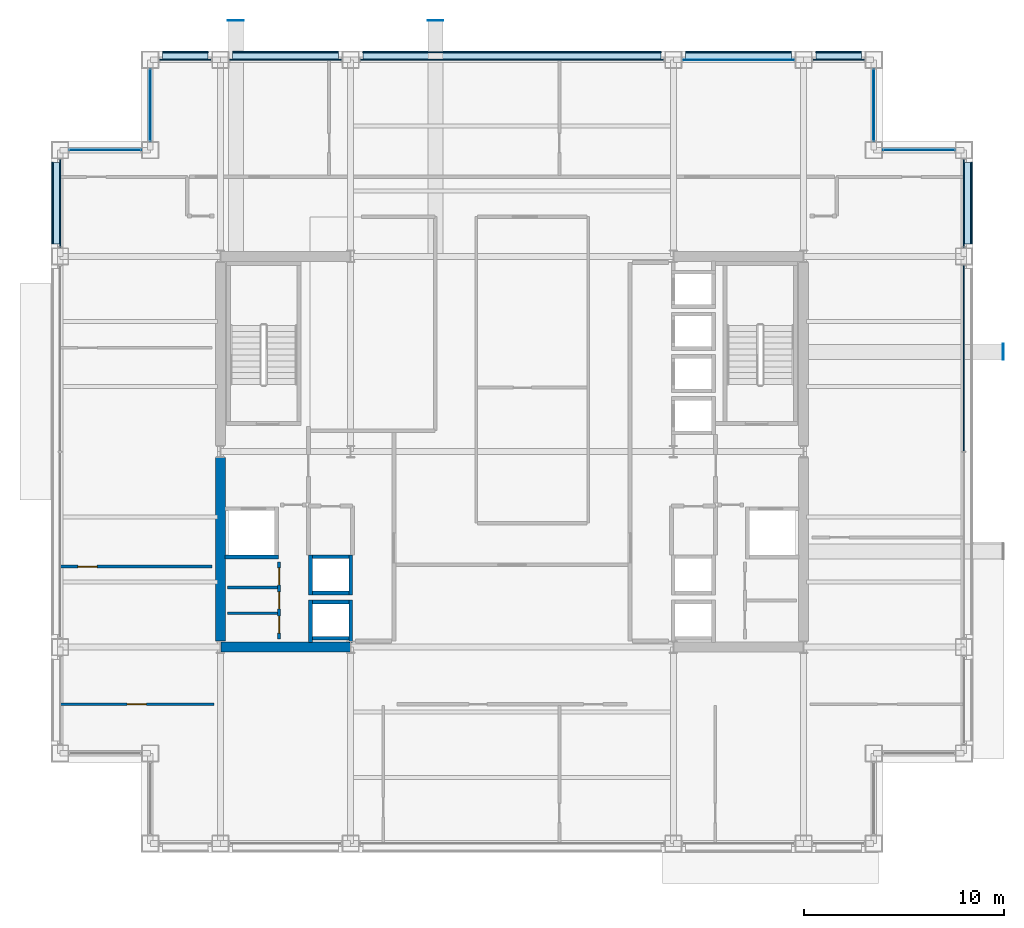
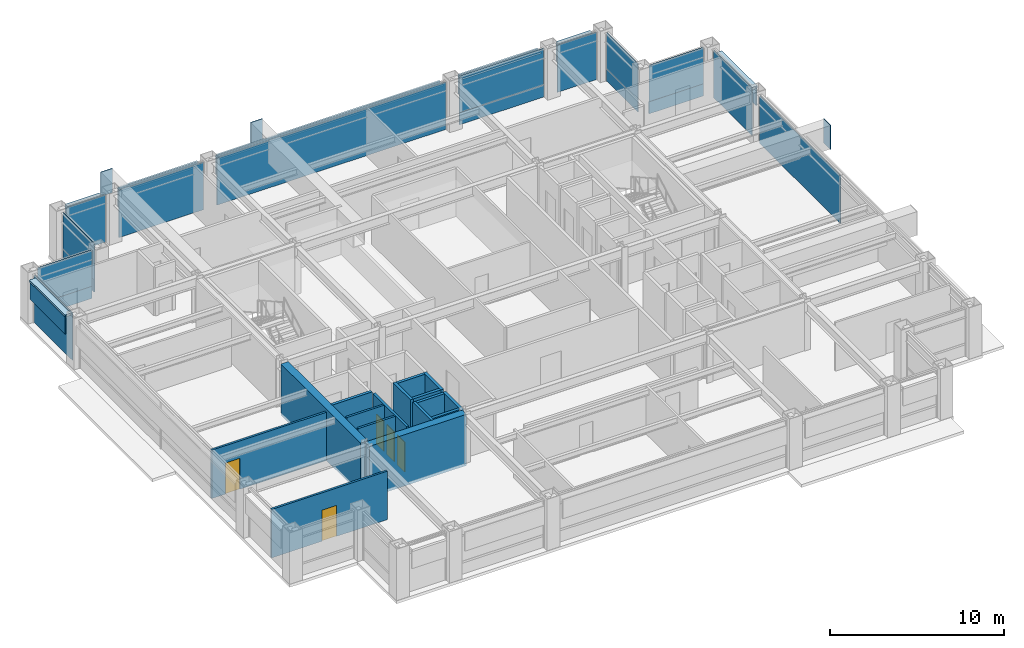
# One storey, part 30 of 34: 34 plates, 16 walls, 5 doors, 5 openings, 12 elements without a shape of their own.
"""IFC4 building model written with IfcOpenShell, lengths in metres."""

import ifcopenshell
import ifcopenshell.guid

model = None  # the IFC model being written
_history = None  # IfcOwnerHistory: only IFC2X3 demands one
_inside = {}  # id of a spatial element -> (the spatial element, [elements in it])
_under = {}  # id of a project, library or spatial element -> (it, [spatial elements below it])
_declared = {}  # id of a project -> (the project, [libraries it declares])
_typed = {}  # id of a type object -> (the type object, [elements of that type])
_made_of = {}  # id of a material, layer set ... -> (it, [elements and type objects made of it])


def new_model(schema):
    """Start an empty IFC model of exactly this schema.

    Asked for "IFC4X3", IfcOpenShell would pick the latest addendum, in which some entities
    have other attributes; the version numbers below select the first issue.
    IFC2X3 requires an IfcOwnerHistory on every rooted entity: one is made here for all.
    """
    global model, _history
    if schema == "IFC4X3":
        model = ifcopenshell.file(schema_version=(4, 3, 0, 0))
    else:
        model = ifcopenshell.file(schema=schema)
    _inside.clear()
    _under.clear()
    _declared.clear()
    _typed.clear()
    _made_of.clear()
    _history = None
    if model.schema == "IFC2X3":
        org = make("IfcOrganization", Name="unknown")
        user = make(
            "IfcPersonAndOrganization",
            ThePerson=make("IfcPerson", FamilyName="unknown"),
            TheOrganization=org,
        )
        app = make(
            "IfcApplication",
            ApplicationDeveloper=org,
            Version="unknown",
            ApplicationFullName="unknown",
            ApplicationIdentifier="unknown",
        )
        _history = make(
            "IfcOwnerHistory",
            OwningUser=user,
            OwningApplication=app,
            ChangeAction="ADDED",
            CreationDate=0,
        )
    return model


def make(cls, **values):
    """One entity of the class cls with the attributes given. An attribute that is None is left unset."""
    return model.create_entity(
        cls, **{name: value for name, value in values.items() if value is not None}
    )


def rooted(cls, **values):
    """An entity with a GlobalId (a new one), such as an element, a storey or a relation."""
    return make(cls, GlobalId=ifcopenshell.guid.new(), OwnerHistory=_history, **values)


def si_unit(unit_type, name, prefix=None):
    """IfcSIUnit, for example si_unit("LENGTHUNIT", "METRE", prefix="MILLI")."""
    return make("IfcSIUnit", UnitType=unit_type, Prefix=prefix, Name=name)


def assignment(units):
    """IfcUnitAssignment: the units of a project."""
    return None if units is None else make("IfcUnitAssignment", Units=units)


def point(xyz):
    """IfcCartesianPoint."""
    return None if xyz is None else make("IfcCartesianPoint", Coordinates=xyz)


def direction(xyz):
    """IfcDirection."""
    return None if xyz is None else make("IfcDirection", DirectionRatios=xyz)


def frame(location, z_axis=None, x_axis=None):
    """IfcAxis2Placement3D, a coordinate frame: its origin and axes. An axis left out is left unset."""
    return make(
        "IfcAxis2Placement3D",
        Location=point(location),
        Axis=direction(z_axis),
        RefDirection=direction(x_axis),
    )


def frame_2d(location, x_axis=None):
    """IfcAxis2Placement2D, a coordinate frame in the plane: its origin and x axis."""
    return make(
        "IfcAxis2Placement2D", Location=point(location), RefDirection=direction(x_axis)
    )


def origin():
    """The frame at (0, 0, 0) with its axes left unset."""
    return frame((0.0, 0.0, 0.0))


def origin_2d():
    """The frame at (0, 0) in the plane with its x axis left unset."""
    return frame_2d((0.0, 0.0))


def place(relative_to, where):
    """IfcLocalPlacement: puts the frame where relative to a parent placement (None: the world)."""
    return make(
        "IfcLocalPlacement", PlacementRelTo=relative_to, RelativePlacement=where
    )


def context(
    kind, dimensions, precision=None, world=None, true_north=None, identifier=None
):
    """IfcGeometricRepresentationContext, for example the 3D "Model" context."""
    return make(
        "IfcGeometricRepresentationContext",
        ContextIdentifier=identifier,
        ContextType=kind,
        CoordinateSpaceDimension=dimensions,
        Precision=precision,
        WorldCoordinateSystem=world,
        TrueNorth=true_north,
    )


def subcontext(parent, identifier, kind, view, scale=None):
    """IfcGeometricRepresentationSubContext, for example "Body" below "Model"."""
    return make(
        "IfcGeometricRepresentationSubContext",
        ContextIdentifier=identifier,
        ContextType=kind,
        ParentContext=parent,
        TargetScale=scale,
        TargetView=view,
    )


def project(units=None, contexts=None):
    """IfcProject with its units and contexts."""
    return rooted(
        "IfcProject",
        Name="project",
        RepresentationContexts=contexts,
        UnitsInContext=assignment(units),
    )


def spatial(cls, under=None, at=None, **own):
    """A site, building, storey or space (cls), placed at a placement, below another one or the project."""
    s = rooted(cls, ObjectPlacement=at, **own)
    if under is not None:
        _under.setdefault(under.id(), (under, []))[1].append(s)
    return s


def profile(cls, at=None, kind="AREA", **sizes):
    """A parametric profile (cls). Its sizes go by their IFC names, for example OverallWidth=200.0."""
    return make(cls, ProfileType=kind, Position=at, **sizes)


def rectangle(**sizes):
    """IfcRectangleProfileDef."""
    return profile("IfcRectangleProfileDef", **sizes)


def extrude(swept, where, along, depth):
    """IfcExtrudedAreaSolid: the profile swept, set in the frame where, extruded along a direction by depth."""
    return make(
        "IfcExtrudedAreaSolid",
        SweptArea=swept,
        Position=where,
        ExtrudedDirection=direction(along),
        Depth=depth,
    )


def shape(context_of_items, identifier, shape_type, items):
    """IfcShapeRepresentation: the items that make up one representation, for example the "Body"."""
    return make(
        "IfcShapeRepresentation",
        ContextOfItems=context_of_items,
        RepresentationIdentifier=identifier,
        RepresentationType=shape_type,
        Items=items,
    )


def material(Name=None, Category=None):
    """IfcMaterial."""
    return make("IfcMaterial", Name=Name, Category=Category)


def layer(
    of_material, thickness, ventilated=None, Name=None, Category=None, Priority=None
):
    """IfcMaterialLayer: one layer of a wall or slab, of a material (None: an air gap)."""
    return make(
        "IfcMaterialLayer",
        Material=of_material,
        LayerThickness=thickness,
        IsVentilated=ventilated,
        Name=Name,
        Category=Category,
        Priority=Priority,
    )


def layer_set(layers, Name=None):
    """IfcMaterialLayerSet."""
    return make("IfcMaterialLayerSet", MaterialLayers=layers, LayerSetName=Name)


def made_of(thing, what):
    """Note that an element or type object is made of a material, layer set ...; save() writes the relation."""
    if what is not None:
        _made_of.setdefault(what.id(), (what, []))[1].append(thing)
    return thing


def type_object(cls, material=None, **own):
    """A type object (cls), such as IfcWallType, which elements share."""
    return made_of(rooted(cls, **own), material)


def element(
    cls,
    number,
    at=None,
    inside=None,
    cuts=None,
    type_object=None,
    material=None,
    context=None,
    identifier="Body",
    shape_type=None,
    held_by="IfcProductDefinitionShape",
    body=None,
    shapes=None,
    **own,
):
    """One element of the class cls, such as IfcWall. Its Tag is "e" and its number.

    at: its placement. inside: the storey or other place that contains it. cuts: it is an
    opening in that element (IfcRelVoidsElement). A single representation is given by context,
    identifier, shape_type and body (its items); several are given by shapes. held_by: the class
    of the entity that holds the representations. save() writes the other relations.
    """
    e = rooted(cls, Tag="e%d" % number, ObjectPlacement=at, **own)
    if body is not None:
        shapes = [shape(context, identifier, shape_type, body)]
    if shapes is not None:
        e.Representation = make(held_by, Representations=shapes)
    if inside is not None:
        _inside.setdefault(inside.id(), (inside, []))[1].append(e)
    if cuts is not None:
        rooted(
            "IfcRelVoidsElement", RelatingBuildingElement=cuts, RelatedOpeningElement=e
        )
    if type_object is not None:
        _typed.setdefault(type_object.id(), (type_object, []))[1].append(e)
    return made_of(e, material)


def fill(opening, filler):
    """IfcRelFillsElement: the door or window that sits in an opening."""
    return rooted(
        "IfcRelFillsElement",
        RelatingOpeningElement=opening,
        RelatedBuildingElement=filler,
    )


def aggregate(whole, parts):
    """IfcRelAggregates: a whole, such as a stair, and the parts it consists of."""
    return rooted("IfcRelAggregates", RelatingObject=whole, RelatedObjects=parts)


def save(model, path):
    """Write the relations noted so far, then the file.

    IfcRelAggregates (storeys below a building ...), IfcRelContainedInSpatialStructure (elements
    in a storey), IfcRelDefinesByType, IfcRelAssociatesMaterial and IfcRelDeclares: one each for
    every whole, place, type object, material and project.
    """
    for whole, parts in _under.values():
        aggregate(whole, parts)
    for where, things in _inside.values():
        rooted(
            "IfcRelContainedInSpatialStructure",
            RelatedElements=things,
            RelatingStructure=where,
        )
    for kind, things in _typed.values():
        rooted("IfcRelDefinesByType", RelatedObjects=things, RelatingType=kind)
    for what, things in _made_of.values():
        rooted("IfcRelAssociatesMaterial", RelatedObjects=things, RelatingMaterial=what)
    for by, libraries in _declared.values():
        rooted("IfcRelDeclares", RelatingContext=by, RelatedDefinitions=libraries)
    model.write(path)


model = new_model("IFC4")

# Units and contexts
model_context = context("Model", 3, precision=1e-05, world=origin(), true_north=direction((0.0, 1.0)))
body_context = subcontext(model_context, "Body", "Model", "MODEL_VIEW")
ifc_project = project(units=[si_unit("LENGTHUNIT", "METRE"), si_unit("AREAUNIT", "SQUARE_METRE"), si_unit("VOLUMEUNIT", "CUBIC_METRE"), si_unit("PLANEANGLEUNIT", "RADIAN"), si_unit("MASSUNIT", "GRAM", prefix="KILO")], contexts=[model_context])

# Site, building, storey
site_placement = place(None, origin())
site = spatial("IfcSite", under=ifc_project, at=site_placement, CompositionType="ELEMENT")
building_placement = place(site_placement, origin())
building = spatial("IfcBuilding", under=site, at=building_placement, Name="Brelmoor Portico Tower", CompositionType="ELEMENT")
storey_placement = place(building_placement, frame((0.0, 0.0, 117.0)))
storey = spatial("IfcBuildingStorey", under=building, at=storey_placement, Name="L30", CompositionType="ELEMENT", Elevation=117.0)

# Plates
ifc_material_1 = material(Name="Steel Q355B", Category="steel")
ifc_layer_1 = layer(ifc_material_1, 0.044921875)
ifc_layer_set_1 = layer_set([ifc_layer_1], Name="Steel Q355B")
plate_type_1 = type_object("IfcPlateType", Name="PT-CAP-650", PredefinedType="SHEET", material=ifc_layer_set_1)
for number, where, z_axis, x_axis, name in (
    (1, (-13.780029296875, 21.52001953125, 1.72021484375), (0.0, 0.0, 1.0), (1.0, 0.0, 0.0), "L30 Picture-Frame Cantilever End Cap Plate PFB-01"),
    (2, (-3.820068359375, 21.52001953125, 1.72021484375), (0.0, 0.0, 1.0), (1.0, 0.0, 0.0), "L30 Picture-Frame Cantilever End Cap Plate PFB-02"),
):
    element("IfcPlate", number, at=place(storey_placement, frame(where, z_axis=z_axis, x_axis=x_axis)), inside=storey, type_object=plate_type_1, Name=name, PredefinedType="SHEET", context=body_context, shape_type="SweptSolid", body=[
        extrude(rectangle(XDim=0.7900390625, YDim=0.0400390625, at=origin_2d()), origin(), (0.0, 0.0, 1.0), 1.699951171875),
    ])
plate_1_placement = place(storey_placement, frame((24.52001953125, 4.97998046875, 1.72021484375), z_axis=(0.0, 0.0, 1.0), x_axis=(1.0, 0.0, 0.0)))
element("IfcPlate", 3, at=plate_1_placement, inside=storey, type_object=plate_type_1, Name="L30 Picture-Frame Cantilever End Cap Plate PFB-04", PredefinedType="SHEET", context=body_context, shape_type="SweptSolid", body=[
    extrude(rectangle(XDim=0.0400390625, YDim=0.7900390625, at=origin_2d()), origin(), (0.0, 0.0, 1.0), 1.699951171875),
])

# Curtain wall, plate
ifc_material_2 = material(Name="Anodised Aluminium Alloy 6063-T6", Category="aluminium")
ifc_layer_2 = layer(ifc_material_2, 0.179931640625)
ifc_layer_set_2 = layer_set([ifc_layer_2], Name="Anodised Aluminium Alloy 6063-T6")
curtain_wall_type_1 = type_object("IfcCurtainWallType", Name="CW-TOWER-Z2", PredefinedType="NOTDEFINED", material=ifc_layer_set_2)
curtain_wall_1_placement = place(storey_placement, origin())
curtain_wall_1 = element("IfcCurtainWall", 4, at=curtain_wall_1_placement, inside=storey, type_object=curtain_wall_type_1, Name="L30 Curtain Wall CW-L30-02-4", PredefinedType="NOTDEFINED")
ifc_material_3 = material(Name="Double-Silver Low-E Insulated Glazing", Category="glass")
ifc_layer_3 = layer(ifc_material_3, 0.035888671875)
ifc_layer_set_3 = layer_set([ifc_layer_3], Name="Double-Silver Low-E Insulated Glazing")
plate_type_2 = type_object("IfcPlateType", Name="PT-CW-GLASS", PredefinedType="CURTAIN_PANEL", material=ifc_layer_set_3)
plate_2_placement = place(storey_placement, frame((11.300048828125, 19.550048828125, 0.85009765625), z_axis=(0.0, 0.0, 1.0), x_axis=(1.0, 0.0, 0.0)))
plate_2 = element("IfcPlate", 5, at=plate_2_placement, type_object=plate_type_2, Name="CW-L30-02-4 Vision Glass Panel 00", PredefinedType="CURTAIN_PANEL", context=body_context, shape_type="SweptSolid", body=[
    extrude(rectangle(XDim=5.60009765625, YDim=0.035888671875, at=origin_2d()), origin(), (0.0, 0.0, 1.0), 2.550048828125),
])

ifc_layer_4 = layer(ifc_material_2, 0.179931640625)
ifc_layer_set_4 = layer_set([ifc_layer_4], Name="Anodised Aluminium Alloy 6063-T6")
curtain_wall_type_2 = type_object("IfcCurtainWallType", Name="CW-NOTCH-CHAMFER", PredefinedType="NOTDEFINED", material=ifc_layer_set_4)
curtain_wall_2_placement = place(storey_placement, origin())
curtain_wall_2 = element("IfcCurtainWall", 6, at=curtain_wall_2_placement, inside=storey, type_object=curtain_wall_type_2, Name="L30 Curtain Wall CWN-L30-NWH", PredefinedType="NOTDEFINED")
plate_3_placement = place(storey_placement, frame((-20.300048828125, 15.050048828125, 0.85009765625), z_axis=(0.0, 0.0, 1.0), x_axis=(1.0, 0.0, 0.0)))
plate_3 = element("IfcPlate", 7, at=plate_3_placement, type_object=plate_type_2, Name="CWN-L30-NWH Vision Glass Panel 00", PredefinedType="CURTAIN_PANEL", context=body_context, shape_type="SweptSolid", body=[
    extrude(rectangle(XDim=3.60009765625, YDim=0.035888671875, at=origin_2d()), origin(), (0.0, 0.0, 1.0), 2.550048828125),
])

curtain_wall_3_placement = place(storey_placement, origin())
curtain_wall_3 = element("IfcCurtainWall", 8, at=curtain_wall_3_placement, inside=storey, type_object=curtain_wall_type_2, Name="L30 Curtain Wall CWN-L30-NWV", PredefinedType="NOTDEFINED")
plate_4_placement = place(storey_placement, frame((-18.050048828125, 17.300048828125, 0.85009765625), z_axis=(0.0, 0.0, 1.0), x_axis=(0.0, 1.0, 0.0)))
plate_4 = element("IfcPlate", 9, at=plate_4_placement, type_object=plate_type_2, Name="CWN-L30-NWV Vision Glass Panel 00", PredefinedType="CURTAIN_PANEL", context=body_context, shape_type="SweptSolid", body=[
    extrude(rectangle(XDim=3.60009765625, YDim=0.035888671875, at=origin_2d()), origin(), (0.0, 0.0, 1.0), 2.550048828125),
])

curtain_wall_4_placement = place(storey_placement, origin())
curtain_wall_4 = element("IfcCurtainWall", 10, at=curtain_wall_4_placement, inside=storey, type_object=curtain_wall_type_2, Name="L30 Curtain Wall CWN-L30-NEH", PredefinedType="NOTDEFINED")
plate_5_placement = place(storey_placement, frame((20.300048828125, 15.050048828125, 0.85009765625), z_axis=(0.0, 0.0, 1.0), x_axis=(1.0, 0.0, 0.0)))
plate_5 = element("IfcPlate", 11, at=plate_5_placement, type_object=plate_type_2, Name="CWN-L30-NEH Vision Glass Panel 00", PredefinedType="CURTAIN_PANEL", context=body_context, shape_type="SweptSolid", body=[
    extrude(rectangle(XDim=3.60009765625, YDim=0.035888671875, at=origin_2d()), origin(), (0.0, 0.0, 1.0), 2.550048828125),
])

curtain_wall_5_placement = place(storey_placement, origin())
curtain_wall_5 = element("IfcCurtainWall", 12, at=curtain_wall_5_placement, inside=storey, type_object=curtain_wall_type_2, Name="L30 Curtain Wall CWN-L30-NEV", PredefinedType="NOTDEFINED")
plate_6_placement = place(storey_placement, frame((18.050048828125, 17.300048828125, 0.85009765625), z_axis=(0.0, 0.0, 1.0), x_axis=(0.0, 1.0, 0.0)))
plate_6 = element("IfcPlate", 13, at=plate_6_placement, type_object=plate_type_2, Name="CWN-L30-NEV Vision Glass Panel 00", PredefinedType="CURTAIN_PANEL", context=body_context, shape_type="SweptSolid", body=[
    extrude(rectangle(XDim=3.60009765625, YDim=0.035888671875, at=origin_2d()), origin(), (0.0, 0.0, 1.0), 2.550048828125),
])

ifc_layer_5 = layer(ifc_material_2, 0.179931640625)
ifc_layer_set_5 = layer_set([ifc_layer_5], Name="Anodised Aluminium Alloy 6063-T6")
curtain_wall_type_3 = type_object("IfcCurtainWallType", Name="CW-TOWER-Z2-XB", PredefinedType="NOTDEFINED", material=ifc_layer_set_5)
curtain_wall_6_placement = place(storey_placement, origin())
curtain_wall_6 = element("IfcCurtainWall", 14, at=curtain_wall_6_placement, inside=storey, type_object=curtain_wall_type_3, Name="L30 Curtain Wall CW-L30-02-1", PredefinedType="NOTDEFINED")
ifc_material_4 = material(Name="Pale Champagne Anodised Aluminium Panel", Category="aluminium")
ifc_layer_6 = layer(ifc_material_4, 0.050048828125)
ifc_layer_set_6 = layer_set([ifc_layer_6], Name="Pale Champagne Anodised Aluminium Panel")
plate_type_3 = type_object("IfcPlateType", Name="PT-CW-SPANDREL", PredefinedType="SHEET", material=ifc_layer_set_6)
plate_7_placement = place(storey_placement, frame((-16.300048828125, 19.550048828125, 0.0), z_axis=(0.0, 0.0, 1.0), x_axis=(1.0, 0.0, 0.0)))
plate_7 = element("IfcPlate", 15, at=plate_7_placement, type_object=plate_type_3, Name="CW-L30-02-1 Spandrel Panel 00", PredefinedType="SHEET", context=body_context, shape_type="SweptSolid", body=[
    extrude(rectangle(XDim=2.60009765625, YDim=0.050048828125, at=origin_2d()), origin(), (0.0, 0.0, 1.0), 3.330078125),
])
aggregate(curtain_wall_6, [plate_7])

curtain_wall_7_placement = place(storey_placement, origin())
curtain_wall_7 = element("IfcCurtainWall", 16, at=curtain_wall_7_placement, inside=storey, type_object=curtain_wall_type_3, Name="L30 Curtain Wall CW-L30-02-2", PredefinedType="NOTDEFINED")
plate_8_placement = place(storey_placement, frame((-11.300048828125, 19.550048828125, 0.0), z_axis=(0.0, 0.0, 1.0), x_axis=(1.0, 0.0, 0.0)))
plate_8 = element("IfcPlate", 17, at=plate_8_placement, type_object=plate_type_3, Name="CW-L30-02-2 Spandrel Panel 00", PredefinedType="SHEET", context=body_context, shape_type="SweptSolid", body=[
    extrude(rectangle(XDim=5.60009765625, YDim=0.050048828125, at=origin_2d()), origin(), (0.0, 0.0, 1.0), 3.330078125),
])
aggregate(curtain_wall_7, [plate_8])

curtain_wall_8_placement = place(storey_placement, origin())
curtain_wall_8 = element("IfcCurtainWall", 18, at=curtain_wall_8_placement, inside=storey, type_object=curtain_wall_type_3, Name="L30 Curtain Wall CW-L30-02-3", PredefinedType="NOTDEFINED")
plate_9_placement = place(storey_placement, frame((0.0, 19.550048828125, 0.0), z_axis=(0.0, 0.0, 1.0), x_axis=(1.0, 0.0, 0.0)))
plate_9 = element("IfcPlate", 19, at=plate_9_placement, type_object=plate_type_3, Name="CW-L30-02-3 Spandrel Panel 00", PredefinedType="SHEET", context=body_context, shape_type="SweptSolid", body=[
    extrude(rectangle(XDim=15.199951171875, YDim=0.050048828125, at=origin_2d()), origin(), (0.0, 0.0, 1.0), 3.330078125),
])
aggregate(curtain_wall_8, [plate_9])

# Plate
plate_10_placement = place(storey_placement, frame((11.300048828125, 19.550048828125, 0.0), z_axis=(0.0, 0.0, 1.0), x_axis=(1.0, 0.0, 0.0)))
plate_10 = element("IfcPlate", 20, at=plate_10_placement, type_object=plate_type_3, Name="CW-L30-02-4 Spandrel Panel 00", PredefinedType="SHEET", context=body_context, shape_type="SweptSolid", body=[
    extrude(rectangle(XDim=5.60009765625, YDim=0.050048828125, at=origin_2d()), origin(), (0.0, 0.0, 1.0), 0.85009765625),
])

aggregate(curtain_wall_1, [plate_10, plate_2])

# Curtain wall, plate
curtain_wall_9_placement = place(storey_placement, origin())
curtain_wall_9 = element("IfcCurtainWall", 21, at=curtain_wall_9_placement, inside=storey, type_object=curtain_wall_type_3, Name="L30 Curtain Wall CW-L30-02-5", PredefinedType="NOTDEFINED")
plate_11_placement = place(storey_placement, frame((16.300048828125, 19.550048828125, 0.0), z_axis=(0.0, 0.0, 1.0), x_axis=(1.0, 0.0, 0.0)))
plate_11 = element("IfcPlate", 22, at=plate_11_placement, type_object=plate_type_3, Name="CW-L30-02-5 Spandrel Panel 00", PredefinedType="SHEET", context=body_context, shape_type="SweptSolid", body=[
    extrude(rectangle(XDim=2.60009765625, YDim=0.050048828125, at=origin_2d()), origin(), (0.0, 0.0, 1.0), 3.330078125),
])
aggregate(curtain_wall_9, [plate_11])

curtain_wall_10_placement = place(storey_placement, origin())
curtain_wall_10 = element("IfcCurtainWall", 23, at=curtain_wall_10_placement, inside=storey, type_object=curtain_wall_type_3, Name="L30 Curtain Wall CW-L30-03-3", PredefinedType="NOTDEFINED")
plate_12_placement = place(storey_placement, frame((-22.550048828125, 12.39990234375, 0.0), z_axis=(0.0, 0.0, 1.0), x_axis=(0.0, 1.0, 0.0)))
plate_12 = element("IfcPlate", 24, at=plate_12_placement, type_object=plate_type_3, Name="CW-L30-03-3 Spandrel Panel 00", PredefinedType="SHEET", context=body_context, shape_type="SweptSolid", body=[
    extrude(rectangle(XDim=4.39990234375, YDim=0.050048828125, at=origin_2d()), origin(), (0.0, 0.0, 1.0), 3.330078125),
])
aggregate(curtain_wall_10, [plate_12])

curtain_wall_11_placement = place(storey_placement, origin())
curtain_wall_11 = element("IfcCurtainWall", 25, at=curtain_wall_11_placement, inside=storey, type_object=curtain_wall_type_3, Name="L30 Curtain Wall CW-L30-04-2", PredefinedType="NOTDEFINED")
plate_13_placement = place(storey_placement, frame((22.550048828125, 4.657470703125, 0.0), z_axis=(0.0, 0.0, 1.0), x_axis=(0.0, 1.0, 0.0)))
plate_13 = element("IfcPlate", 26, at=plate_13_placement, type_object=plate_type_3, Name="CW-L30-04-2 Spandrel Panel 01", PredefinedType="SHEET", context=body_context, shape_type="SweptSolid", body=[
    extrude(rectangle(XDim=9.284912109375, YDim=0.050048828125, at=origin_2d()), origin(), (0.0, 0.0, 1.0), 3.330078125),
])
aggregate(curtain_wall_11, [plate_13])

curtain_wall_12_placement = place(storey_placement, origin())
curtain_wall_12 = element("IfcCurtainWall", 27, at=curtain_wall_12_placement, inside=storey, type_object=curtain_wall_type_3, Name="L30 Curtain Wall CW-L30-04-3", PredefinedType="NOTDEFINED")
plate_14_placement = place(storey_placement, frame((22.550048828125, 12.39990234375, 0.0), z_axis=(0.0, 0.0, 1.0), x_axis=(0.0, 1.0, 0.0)))
plate_14 = element("IfcPlate", 28, at=plate_14_placement, type_object=plate_type_3, Name="CW-L30-04-3 Spandrel Panel 00", PredefinedType="SHEET", context=body_context, shape_type="SweptSolid", body=[
    extrude(rectangle(XDim=4.39990234375, YDim=0.050048828125, at=origin_2d()), origin(), (0.0, 0.0, 1.0), 3.330078125),
])
aggregate(curtain_wall_12, [plate_14])

# Plate
plate_15_placement = place(storey_placement, frame((-20.300048828125, 15.050048828125, 0.0), z_axis=(0.0, 0.0, 1.0), x_axis=(1.0, 0.0, 0.0)))
plate_15 = element("IfcPlate", 29, at=plate_15_placement, type_object=plate_type_3, Name="CWN-L30-NWH Spandrel Panel 00", PredefinedType="SHEET", context=body_context, shape_type="SweptSolid", body=[
    extrude(rectangle(XDim=3.60009765625, YDim=0.050048828125, at=origin_2d()), origin(), (0.0, 0.0, 1.0), 0.85009765625),
])

aggregate(curtain_wall_2, [plate_15, plate_3])

plate_16_placement = place(storey_placement, frame((-18.050048828125, 17.300048828125, 0.0), z_axis=(0.0, 0.0, 1.0), x_axis=(0.0, 1.0, 0.0)))
plate_16 = element("IfcPlate", 30, at=plate_16_placement, type_object=plate_type_3, Name="CWN-L30-NWV Spandrel Panel 00", PredefinedType="SHEET", context=body_context, shape_type="SweptSolid", body=[
    extrude(rectangle(XDim=3.60009765625, YDim=0.050048828125, at=origin_2d()), origin(), (0.0, 0.0, 1.0), 0.85009765625),
])

aggregate(curtain_wall_3, [plate_16, plate_4])

plate_17_placement = place(storey_placement, frame((20.300048828125, 15.050048828125, 0.0), z_axis=(0.0, 0.0, 1.0), x_axis=(1.0, 0.0, 0.0)))
plate_17 = element("IfcPlate", 31, at=plate_17_placement, type_object=plate_type_3, Name="CWN-L30-NEH Spandrel Panel 00", PredefinedType="SHEET", context=body_context, shape_type="SweptSolid", body=[
    extrude(rectangle(XDim=3.60009765625, YDim=0.050048828125, at=origin_2d()), origin(), (0.0, 0.0, 1.0), 0.85009765625),
])

aggregate(curtain_wall_4, [plate_17, plate_5])

plate_18_placement = place(storey_placement, frame((18.050048828125, 17.300048828125, 0.0), z_axis=(0.0, 0.0, 1.0), x_axis=(0.0, 1.0, 0.0)))
plate_18 = element("IfcPlate", 32, at=plate_18_placement, type_object=plate_type_3, Name="CWN-L30-NEV Spandrel Panel 00", PredefinedType="SHEET", context=body_context, shape_type="SweptSolid", body=[
    extrude(rectangle(XDim=3.60009765625, YDim=0.050048828125, at=origin_2d()), origin(), (0.0, 0.0, 1.0), 0.85009765625),
])

aggregate(curtain_wall_5, [plate_18, plate_6])

# Plates
ifc_material_5 = material(Name="Powder-Coated Aluminium Shuttered Jalousie Louvre", Category="aluminium")
ifc_layer_7 = layer(ifc_material_5, 0.06005859375)
ifc_layer_set_7 = layer_set([ifc_layer_7], Name="Powder-Coated Aluminium Shuttered Jalousie Louvre")
plate_type_4 = type_object("IfcPlateType", Name="PT-JALOUSIE-SHUTTER", PredefinedType="SHEET", material=ifc_layer_set_7)
plate_19_placement = place(storey_placement, frame((-16.300048828125, 19.929931640625, 1.8740234375), z_axis=(0.0, 0.0, 1.0), x_axis=(1.0, 0.0, 0.0)))
element("IfcPlate", 33, at=plate_19_placement, inside=storey, type_object=plate_type_4, Name="CW-L30-02-1 Perforated Jalousie Solar Screen", PredefinedType="SHEET", context=body_context, shape_type="SweptSolid", body=[
    extrude(rectangle(XDim=2.27001953125, YDim=0.06494140625, at=origin_2d()), origin(), (0.0, 0.0, 1.0), 1.325927734375),
])
plate_20_placement = place(storey_placement, frame((-11.300048828125, 19.929931640625, 1.8740234375), z_axis=(0.0, 0.0, 1.0), x_axis=(1.0, 0.0, 0.0)))
element("IfcPlate", 34, at=plate_20_placement, inside=storey, type_object=plate_type_4, Name="CW-L30-02-2 Perforated Jalousie Solar Screen", PredefinedType="SHEET", context=body_context, shape_type="SweptSolid", body=[
    extrude(rectangle(XDim=5.27001953125, YDim=0.06494140625, at=origin_2d()), origin(), (0.0, 0.0, 1.0), 1.325927734375),
])
plate_21_placement = place(storey_placement, frame((0.0, 19.929931640625, 1.8740234375), z_axis=(0.0, 0.0, 1.0), x_axis=(1.0, 0.0, 0.0)))
element("IfcPlate", 35, at=plate_21_placement, inside=storey, type_object=plate_type_4, Name="CW-L30-02-3 Perforated Jalousie Solar Screen", PredefinedType="SHEET", context=body_context, shape_type="SweptSolid", body=[
    extrude(rectangle(XDim=14.8701171875, YDim=0.06494140625, at=origin_2d()), origin(), (0.0, 0.0, 1.0), 1.325927734375),
])
plate_22_placement = place(storey_placement, frame((11.300048828125, 19.929931640625, 1.8740234375), z_axis=(0.0, 0.0, 1.0), x_axis=(1.0, 0.0, 0.0)))
element("IfcPlate", 36, at=plate_22_placement, inside=storey, type_object=plate_type_4, Name="CW-L30-02-4 Perforated Jalousie Solar Screen", PredefinedType="SHEET", context=body_context, shape_type="SweptSolid", body=[
    extrude(rectangle(XDim=5.27001953125, YDim=0.06494140625, at=origin_2d()), origin(), (0.0, 0.0, 1.0), 1.325927734375),
])
plate_23_placement = place(storey_placement, frame((16.300048828125, 19.929931640625, 1.8740234375), z_axis=(0.0, 0.0, 1.0), x_axis=(1.0, 0.0, 0.0)))
element("IfcPlate", 37, at=plate_23_placement, inside=storey, type_object=plate_type_4, Name="CW-L30-02-5 Perforated Jalousie Solar Screen", PredefinedType="SHEET", context=body_context, shape_type="SweptSolid", body=[
    extrude(rectangle(XDim=2.27001953125, YDim=0.06494140625, at=origin_2d()), origin(), (0.0, 0.0, 1.0), 1.325927734375),
])
for number, where, z_axis, x_axis, name in (
    (38, (-22.929931640625, 12.39990234375, 1.8740234375), (0.0, 0.0, 1.0), (0.0, 1.0, 0.0), "CW-L30-03-3 Perforated Jalousie Solar Screen"),
    (39, (22.929931640625, 12.39990234375, 1.8740234375), (0.0, 0.0, 1.0), (0.0, 1.0, 0.0), "CW-L30-04-3 Perforated Jalousie Solar Screen"),
):
    element("IfcPlate", number, at=place(storey_placement, frame(where, z_axis=z_axis, x_axis=x_axis)), inside=storey, type_object=plate_type_4, Name=name, PredefinedType="SHEET", context=body_context, shape_type="SweptSolid", body=[
        extrude(rectangle(XDim=4.070068359375, YDim=0.06494140625, at=origin_2d()), origin(), (0.0, 0.0, 1.0), 1.325927734375),
    ])
ifc_material_6 = material(Name="Pale Champagne Perforated Aluminium Solar Screen", Category="aluminium")
ifc_layer_8 = layer(ifc_material_6, 0.054931640625)
ifc_layer_set_8 = layer_set([ifc_layer_8], Name="Pale Champagne Perforated Aluminium Solar Screen")
plate_type_5 = type_object("IfcPlateType", Name="PT-SOLAR-LOUVRE", PredefinedType="SHEET", material=ifc_layer_set_8)
plate_24_placement = place(storey_placement, frame((-16.300048828125, 19.760009765625, 3.08984375), z_axis=(0.0, 0.0, 1.0), x_axis=(1.0, 0.0, 0.0)))
element("IfcPlate", 40, at=plate_24_placement, inside=storey, type_object=plate_type_5, Name="CW-L30-02-1 Caribbean Brise-Soleil Solar Screen", PredefinedType="SHEET", context=body_context, shape_type="SweptSolid", body=[
    extrude(rectangle(XDim=2.27001953125, YDim=0.4599609375, at=origin_2d()), origin(), (0.0, 0.0, 1.0), 0.139892578125),
])
plate_25_placement = place(storey_placement, frame((-11.300048828125, 19.760009765625, 3.08984375), z_axis=(0.0, 0.0, 1.0), x_axis=(1.0, 0.0, 0.0)))
element("IfcPlate", 41, at=plate_25_placement, inside=storey, type_object=plate_type_5, Name="CW-L30-02-2 Caribbean Brise-Soleil Solar Screen", PredefinedType="SHEET", context=body_context, shape_type="SweptSolid", body=[
    extrude(rectangle(XDim=5.27001953125, YDim=0.4599609375, at=origin_2d()), origin(), (0.0, 0.0, 1.0), 0.139892578125),
])
plate_26_placement = place(storey_placement, frame((0.0, 19.760009765625, 3.08984375), z_axis=(0.0, 0.0, 1.0), x_axis=(1.0, 0.0, 0.0)))
element("IfcPlate", 42, at=plate_26_placement, inside=storey, type_object=plate_type_5, Name="CW-L30-02-3 Caribbean Brise-Soleil Solar Screen", PredefinedType="SHEET", context=body_context, shape_type="SweptSolid", body=[
    extrude(rectangle(XDim=14.8701171875, YDim=0.4599609375, at=origin_2d()), origin(), (0.0, 0.0, 1.0), 0.139892578125),
])
plate_27_placement = place(storey_placement, frame((11.300048828125, 19.760009765625, 3.08984375), z_axis=(0.0, 0.0, 1.0), x_axis=(1.0, 0.0, 0.0)))
element("IfcPlate", 43, at=plate_27_placement, inside=storey, type_object=plate_type_5, Name="CW-L30-02-4 Caribbean Brise-Soleil Solar Screen", PredefinedType="SHEET", context=body_context, shape_type="SweptSolid", body=[
    extrude(rectangle(XDim=5.27001953125, YDim=0.4599609375, at=origin_2d()), origin(), (0.0, 0.0, 1.0), 0.139892578125),
])
plate_28_placement = place(storey_placement, frame((16.300048828125, 19.760009765625, 3.08984375), z_axis=(0.0, 0.0, 1.0), x_axis=(1.0, 0.0, 0.0)))
element("IfcPlate", 44, at=plate_28_placement, inside=storey, type_object=plate_type_5, Name="CW-L30-02-5 Caribbean Brise-Soleil Solar Screen", PredefinedType="SHEET", context=body_context, shape_type="SweptSolid", body=[
    extrude(rectangle(XDim=2.27001953125, YDim=0.4599609375, at=origin_2d()), origin(), (0.0, 0.0, 1.0), 0.139892578125),
])
for number, where, z_axis, x_axis, name in (
    (45, (-22.760009765625, 12.39990234375, 3.08984375), (0.0, 0.0, 1.0), (0.0, 1.0, 0.0), "CW-L30-03-3 Caribbean Brise-Soleil Solar Screen"),
    (46, (22.760009765625, 12.39990234375, 3.08984375), (0.0, 0.0, 1.0), (0.0, 1.0, 0.0), "CW-L30-04-3 Caribbean Brise-Soleil Solar Screen"),
):
    element("IfcPlate", number, at=place(storey_placement, frame(where, z_axis=z_axis, x_axis=x_axis)), inside=storey, type_object=plate_type_5, Name=name, PredefinedType="SHEET", context=body_context, shape_type="SweptSolid", body=[
        extrude(rectangle(XDim=4.070068359375, YDim=0.4599609375, at=origin_2d()), origin(), (0.0, 0.0, 1.0), 0.139892578125),
    ])

# Walls
ifc_material_7 = material(Name="Concrete C60", Category="concrete")
ifc_layer_9 = layer(ifc_material_7, 0.5)
ifc_layer_set_9 = layer_set([ifc_layer_9], Name="Concrete C60")
wall_type_1 = type_object("IfcWallType", Name="WL-CORE-500", PredefinedType="SHEAR", material=ifc_layer_set_9)
wall_1_placement = place(storey_placement, frame((-14.530029296875, -9.75, -0.199951171875), z_axis=(0.0, 0.0, 1.0), x_axis=(1.0, 0.0, 0.0)))
element("IfcWall", 47, at=wall_1_placement, inside=storey, type_object=wall_type_1, Name="L30 WC South Shear Wall", PredefinedType="SHEAR", context=body_context, shape_type="SweptSolid", body=[
    extrude(rectangle(XDim=6.4599609375, YDim=0.5, at=frame_2d((3.22998046875, 0.0))), origin(), (0.0, 0.0, 1.0), 3.599853515625),
])
wall_2_placement = place(storey_placement, frame((-14.550048828125, -9.449951171875, -0.199951171875), z_axis=(0.0, 0.0, 1.0), x_axis=(0.0, 1.0, 0.0)))
element("IfcWall", 48, at=wall_2_placement, inside=storey, type_object=wall_type_1, Name="L30 WC Outer South Shear Wall", PredefinedType="SHEAR", context=body_context, shape_type="SweptSolid", body=[
    extrude(rectangle(XDim=9.14990234375, YDim=0.5, at=frame_2d((4.574951171875, 0.0))), origin(), (0.0, 0.0, 1.0), 3.599853515625),
])
ifc_material_8 = material(Name="Insulated Stud Suite Partition", Category="gypsum")
ifc_layer_10 = layer(ifc_material_8, 0.139892578125)
ifc_layer_set_10 = layer_set([ifc_layer_10], Name="Insulated Stud Suite Partition")
wall_type_2 = type_object("IfcWallType", Name="WL-PART-140", PredefinedType="PARTITIONING", material=ifc_layer_set_10)
for number, where, z_axis, x_axis, name in (
    (49, (-11.699951171875, -8.066650390625, 0.0), (0.0, 0.0, 1.0), (-1.0, 0.0, 0.0), "L30 W Core WC Divider 1"),
    (50, (-11.699951171875, -6.783203125, 0.0), (0.0, 0.0, 1.0), (-1.0, 0.0, 0.0), "L30 W Core WC Divider 2"),
):
    element("IfcWall", number, at=place(storey_placement, frame(where, z_axis=z_axis, x_axis=x_axis)), inside=storey, type_object=wall_type_2, Name=name, PredefinedType="PARTITIONING", context=body_context, shape_type="SweptSolid", body=[
        extrude(rectangle(XDim=2.5, YDim=0.139892578125, at=frame_2d((1.25, 0.0))), origin(), (0.0, 0.0, 1.0), 3.39990234375),
    ])

# Wall, opening, door
wall_3_placement = place(storey_placement, frame((-22.56005859375, -12.60009765625, 0.0), z_axis=(0.0, 0.0, 1.0), x_axis=(1.0, 0.0, 0.0)))
wall_3 = element("IfcWall", 51, at=wall_3_placement, inside=storey, type_object=wall_type_2, Name="L30 South Wing Closure WL", PredefinedType="PARTITIONING", context=body_context, shape_type="SweptSolid", body=[
    extrude(rectangle(XDim=7.68017578125, YDim=0.139892578125, at=frame_2d((3.840087890625, 0.0))), origin(), (0.0, 0.0, 1.0), 3.39990234375),
])
opening_1_placement = place(wall_3_placement, frame((3.360107421875, 0.0, 0.0)))
opening_1 = element("IfcOpeningElement", 52, at=opening_1_placement, cuts=wall_3, Name="Opening D-IN2", PredefinedType="OPENING", context=body_context, shape_type="SweptSolid", body=[
    extrude(rectangle(XDim=0.9599609375, YDim=2.179931640625, at=frame_2d((0.47998046875, 1.08984375))), frame((0.0, 0.079833984375, 0.0), z_axis=(0.0, -1.0, 0.0), x_axis=(1.0, 0.0, 0.0)), (0.0, 0.0, 1.0), 0.159912109375),
])
ifc_material_9 = material(Name="Lacquered Timber Suite Door", Category="wood")
door_type_1 = type_object("IfcDoorType", Name="DR-INT-950", OperationType="NOTDEFINED", PredefinedType="DOOR", material=ifc_material_9)
door_1_placement = place(opening_1_placement, origin())
door_1 = element("IfcDoor", 53, at=door_1_placement, inside=storey, type_object=door_type_1, Name="D-1341 L30 WL Wing South Suite Door", OperationType="SINGLE_SWING_RIGHT", OverallHeight=2.179931640625, OverallWidth=0.9599609375, PredefinedType="DOOR", context=body_context, shape_type="SweptSolid", body=[
    extrude(rectangle(XDim=0.9599609375, YDim=2.179931640625, at=frame_2d((0.47998046875, 1.08984375))), frame((0.0, 0.02490234375, 0.0), z_axis=(0.0, -1.0, 0.0), x_axis=(1.0, 0.0, 0.0)), (0.0, 0.0, 1.0), 0.050048828125),
])
fill(opening_1, door_1)

wall_4_placement = place(storey_placement, frame((-22.56005859375, -5.72998046875, 0.0), z_axis=(0.0, 0.0, 1.0), x_axis=(1.0, 0.0, 0.0)))
wall_4 = element("IfcWall", 54, at=wall_4_placement, inside=storey, type_object=wall_type_2, Name="L30 W Wing Partition 1", PredefinedType="PARTITIONING", context=body_context, shape_type="SweptSolid", body=[
    extrude(rectangle(XDim=7.60009765625, YDim=0.139892578125, at=frame_2d((3.800048828125, 0.0))), origin(), (0.0, 0.0, 1.0), 3.39990234375),
])
opening_2_placement = place(wall_4_placement, frame((0.89990234375, 0.0, 0.0)))
opening_2 = element("IfcOpeningElement", 55, at=opening_2_placement, cuts=wall_4, Name="Opening D-IN2", PredefinedType="OPENING", context=body_context, shape_type="SweptSolid", body=[
    extrude(rectangle(XDim=0.9599609375, YDim=2.179931640625, at=frame_2d((0.47998046875, 1.08984375))), frame((0.0, 0.079833984375, 0.0), z_axis=(0.0, -1.0, 0.0), x_axis=(1.0, 0.0, 0.0)), (0.0, 0.0, 1.0), 0.159912109375),
])
door_2_placement = place(opening_2_placement, origin())
door_2 = element("IfcDoor", 56, at=door_2_placement, inside=storey, type_object=door_type_1, Name="D-1345 L30 W Wing Suite Connecting Door 1", OperationType="SINGLE_SWING_LEFT", OverallHeight=2.179931640625, OverallWidth=0.9599609375, PredefinedType="DOOR", context=body_context, shape_type="SweptSolid", body=[
    extrude(rectangle(XDim=0.9599609375, YDim=2.179931640625, at=frame_2d((0.47998046875, 1.08984375))), frame((0.0, 0.02490234375, 0.0), z_axis=(0.0, -1.0, 0.0), x_axis=(1.0, 0.0, 0.0)), (0.0, 0.0, 1.0), 0.050048828125),
])
fill(opening_2, door_2)

# Wall, openings, doors
ifc_material_10 = material(Name="Twin-Frame Acoustic Partition", Category="gypsum")
ifc_layer_11 = layer(ifc_material_10, 0.159912109375)
ifc_layer_set_11 = layer_set([ifc_layer_11], Name="Twin-Frame Acoustic Partition")
wall_type_3 = type_object("IfcWallType", Name="WL-PART-160", PredefinedType="PARTITIONING", material=ifc_layer_set_11)
wall_5_placement = place(storey_placement, frame((-11.6201171875, -9.35009765625, 0.0), z_axis=(0.0, 0.0, 1.0), x_axis=(0.0, 1.0, 0.0)))
wall_5 = element("IfcWall", 57, at=wall_5_placement, inside=storey, type_object=wall_type_3, Name="L30 W Core Service Front Wall", PredefinedType="PARTITIONING", context=body_context, shape_type="SweptSolid", body=[
    extrude(rectangle(XDim=3.85009765625, YDim=0.159912109375, at=frame_2d((1.925048828125, 0.0))), origin(), (0.0, 0.0, 1.0), 3.39990234375),
])
opening_3_placement = place(wall_5_placement, frame((0.300048828125, 0.0, 0.0)))
opening_3 = element("IfcOpeningElement", 58, at=opening_3_placement, cuts=wall_5, Name="Opening D-WC1", PredefinedType="OPENING", context=body_context, shape_type="SweptSolid", body=[
    extrude(rectangle(XDim=0.85009765625, YDim=2.1201171875, at=frame_2d((0.425048828125, 1.06005859375))), frame((0.0, 0.08984375, 0.0), z_axis=(0.0, -1.0, 0.0), x_axis=(1.0, 0.0, 0.0)), (0.0, 0.0, 1.0), 0.179931640625),
])
opening_4_placement = place(wall_5_placement, frame((1.5, 0.0, 0.0)))
opening_4 = element("IfcOpeningElement", 59, at=opening_4_placement, cuts=wall_5, Name="Opening D-WC1", PredefinedType="OPENING", context=body_context, shape_type="SweptSolid", body=[
    extrude(rectangle(XDim=0.85009765625, YDim=2.1201171875, at=frame_2d((0.425048828125, 1.06005859375))), frame((0.0, 0.08984375, 0.0), z_axis=(0.0, -1.0, 0.0), x_axis=(1.0, 0.0, 0.0)), (0.0, 0.0, 1.0), 0.179931640625),
])
opening_5_placement = place(wall_5_placement, frame((2.699951171875, 0.0, 0.0)))
opening_5 = element("IfcOpeningElement", 60, at=opening_5_placement, cuts=wall_5, Name="Opening D-WC1", PredefinedType="OPENING", context=body_context, shape_type="SweptSolid", body=[
    extrude(rectangle(XDim=0.85009765625, YDim=2.1201171875, at=frame_2d((0.425048828125, 1.06005859375))), frame((0.0, 0.08984375, 0.0), z_axis=(0.0, -1.0, 0.0), x_axis=(1.0, 0.0, 0.0)), (0.0, 0.0, 1.0), 0.179931640625),
])
ifc_material_11 = material(Name="Moisture-Resistant Laminate WC Door", Category="timber")
door_type_2 = type_object("IfcDoorType", Name="DR-WC-850", OperationType="NOTDEFINED", PredefinedType="DOOR", material=ifc_material_11)
door_3_placement = place(opening_3_placement, origin())
door_3 = element("IfcDoor", 61, at=door_3_placement, inside=storey, type_object=door_type_2, Name="D-1317 L30 W Accessible WC Door", OperationType="SINGLE_SWING_RIGHT", OverallHeight=2.1201171875, OverallWidth=0.85009765625, PredefinedType="DOOR", context=body_context, shape_type="SweptSolid", body=[
    extrude(rectangle(XDim=0.85009765625, YDim=2.1201171875, at=frame_2d((0.425048828125, 1.06005859375))), frame((0.0, 0.02490234375, 0.0), z_axis=(0.0, -1.0, 0.0), x_axis=(1.0, 0.0, 0.0)), (0.0, 0.0, 1.0), 0.050048828125),
])
fill(opening_3, door_3)
door_4_placement = place(opening_4_placement, origin())
door_4 = element("IfcDoor", 62, at=door_4_placement, inside=storey, type_object=door_type_2, Name="D-1318 L30 W Staff WC Door", OperationType="SINGLE_SWING_LEFT", OverallHeight=2.1201171875, OverallWidth=0.85009765625, PredefinedType="DOOR", context=body_context, shape_type="SweptSolid", body=[
    extrude(rectangle(XDim=0.85009765625, YDim=2.1201171875, at=frame_2d((0.425048828125, 1.06005859375))), frame((0.0, 0.02490234375, 0.0), z_axis=(0.0, -1.0, 0.0), x_axis=(1.0, 0.0, 0.0)), (0.0, 0.0, 1.0), 0.050048828125),
])
fill(opening_4, door_4)
door_5_placement = place(opening_5_placement, origin())
door_5 = element("IfcDoor", 63, at=door_5_placement, inside=storey, type_object=door_type_2, Name="D-1319 L30 W Cleaner Store Door", OperationType="SINGLE_SWING_RIGHT", OverallHeight=2.1201171875, OverallWidth=0.85009765625, PredefinedType="DOOR", context=body_context, shape_type="SweptSolid", body=[
    extrude(rectangle(XDim=0.85009765625, YDim=2.1201171875, at=frame_2d((0.425048828125, 1.06005859375))), frame((0.0, 0.02490234375, 0.0), z_axis=(0.0, -1.0, 0.0), x_axis=(1.0, 0.0, 0.0)), (0.0, 0.0, 1.0), 0.050048828125),
])
fill(opening_5, door_5)

# Walls
ifc_material_12 = material(Name="Precast Concrete C40", Category="concrete")
ifc_layer_12 = layer(ifc_material_12, 0.18994140625)
ifc_layer_set_12 = layer_set([ifc_layer_12], Name="Precast Concrete C40")
wall_type_4 = type_object("IfcWallType", Name="WL-SHAFT-180", PredefinedType="SOLIDWALL", material=ifc_layer_set_12)
for number, where, z_axis, x_axis, name in (
    (64, (-8.044921875, -9.52001953125, -0.199951171875), (0.0, 0.0, 1.0), (0.0, 1.0, 0.0), "L30 Lift PH1 Hoistway Front Wall"),
    (65, (-10.054931640625, -9.52001953125, -0.199951171875), (0.0, 0.0, 1.0), (0.0, 1.0, 0.0), "L30 Lift PH1 Hoistway Back Wall"),
):
    element("IfcWall", number, at=place(storey_placement, frame(where, z_axis=z_axis, x_axis=x_axis)), inside=storey, type_object=wall_type_4, Name=name, PredefinedType="SOLIDWALL", context=body_context, shape_type="SweptSolid", body=[
        extrude(rectangle(XDim=2.1201171875, YDim=0.18994140625, at=frame_2d((1.06005859375, 0.0))), origin(), (0.0, 0.0, 1.0), 3.599853515625),
    ])
for number, where, z_axis, x_axis, name in (
    (66, (-10.14990234375, -7.4951171875, -0.199951171875), (0.0, 0.0, 1.0), (1.0, 0.0, 0.0), "L30 Lift PH1 Hoistway North Wall"),
    (67, (-10.14990234375, -9.304931640625, -0.199951171875), (0.0, 0.0, 1.0), (1.0, 0.0, 0.0), "L30 Lift PH1 Hoistway South Wall"),
):
    element("IfcWall", number, at=place(storey_placement, frame(where, z_axis=z_axis, x_axis=x_axis)), inside=storey, type_object=wall_type_4, Name=name, PredefinedType="SOLIDWALL", context=body_context, shape_type="SweptSolid", body=[
        extrude(rectangle(XDim=2.199951171875, YDim=0.18994140625, at=frame_2d((1.10009765625, 0.0))), origin(), (0.0, 0.0, 1.0), 3.599853515625),
    ])
for number, where, z_axis, x_axis, name in (
    (68, (-8.044921875, -7.14990234375, -0.199951171875), (0.0, 0.0, 1.0), (0.0, 1.0, 0.0), "L30 Lift PH2 Hoistway Front Wall"),
    (69, (-10.054931640625, -7.14990234375, -0.199951171875), (0.0, 0.0, 1.0), (0.0, 1.0, 0.0), "L30 Lift PH2 Hoistway Back Wall"),
):
    element("IfcWall", number, at=place(storey_placement, frame(where, z_axis=z_axis, x_axis=x_axis)), inside=storey, type_object=wall_type_4, Name=name, PredefinedType="SOLIDWALL", context=body_context, shape_type="SweptSolid", body=[
        extrude(rectangle(XDim=2.0, YDim=0.18994140625, at=frame_2d((1.0, 0.0))), origin(), (0.0, 0.0, 1.0), 3.599853515625),
    ])
for number, where, z_axis, x_axis, name in (
    (70, (-10.14990234375, -5.2451171875, -0.199951171875), (0.0, 0.0, 1.0), (1.0, 0.0, 0.0), "L30 Lift PH2 Hoistway North Wall"),
    (71, (-10.14990234375, -7.054931640625, -0.199951171875), (0.0, 0.0, 1.0), (1.0, 0.0, 0.0), "L30 Lift PH2 Hoistway South Wall"),
):
    element("IfcWall", number, at=place(storey_placement, frame(where, z_axis=z_axis, x_axis=x_axis)), inside=storey, type_object=wall_type_4, Name=name, PredefinedType="SOLIDWALL", context=body_context, shape_type="SweptSolid", body=[
        extrude(rectangle(XDim=2.199951171875, YDim=0.18994140625, at=frame_2d((1.10009765625, 0.0))), origin(), (0.0, 0.0, 1.0), 3.599853515625),
    ])
wall_6_placement = place(storey_placement, frame((-14.330078125, -5.2548828125, -0.199951171875), z_axis=(0.0, 0.0, 1.0), x_axis=(1.0, 0.0, 0.0)))
element("IfcWall", 72, at=wall_6_placement, inside=storey, type_object=wall_type_4, Name="L30 Firefighting Lift FF1 South Wall", PredefinedType="SOLIDWALL", context=body_context, shape_type="SweptSolid", body=[
    extrude(rectangle(XDim=2.68017578125, YDim=0.18994140625, at=frame_2d((1.340087890625, 0.0))), origin(), (0.0, 0.0, 1.0), 3.599853515625),
])

save(model, "model.ifc")
